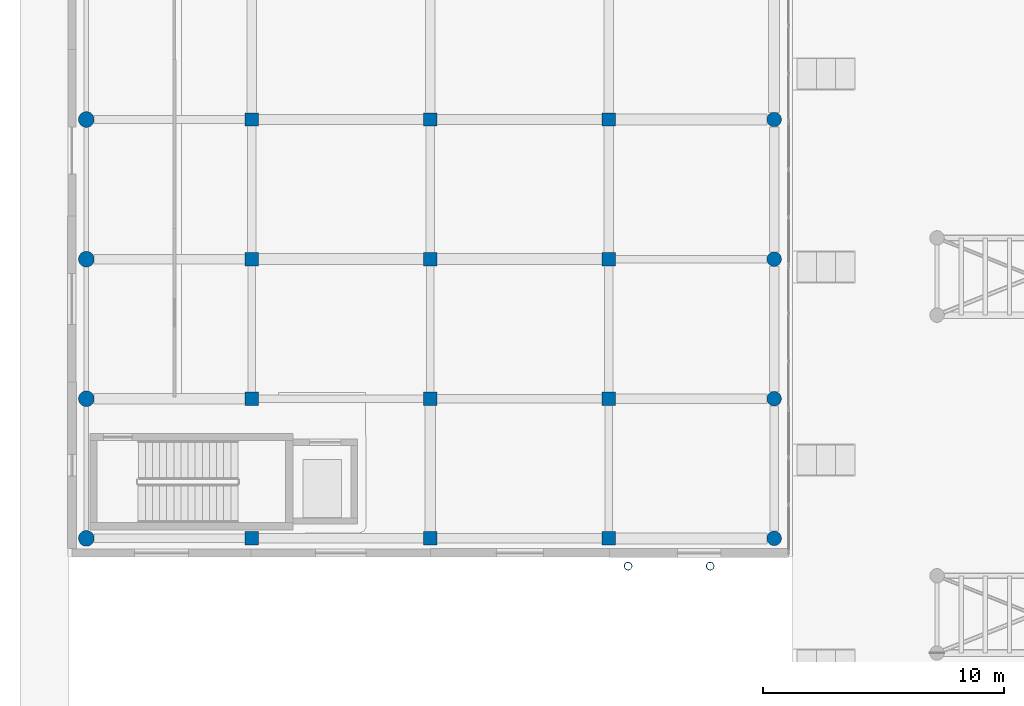
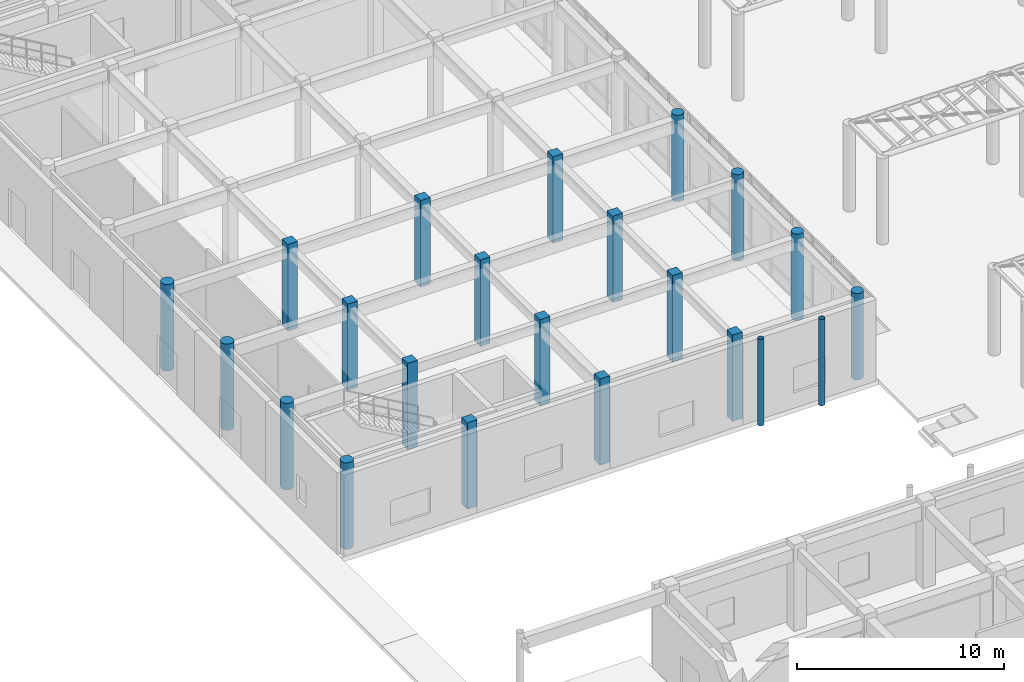
# One storey, part 5 of 121: 22 columns.
"""IFC4 building model written with IfcOpenShell, lengths in metres."""

from ifc_helpers import new_model, si_unit, direction, frame, origin, origin_2d, place, context, subcontext, project, spatial, rectangle, circle, hollow_circle, extrude, material, material_profile, profile_set, type_object, element, save


model = new_model("IFC4")

# Units and contexts
model_context = context("Model", 3, precision=1e-05, world=origin(), true_north=direction((0.0, 1.0)))
body_context = subcontext(model_context, "Body", "Model", "MODEL_VIEW")
ifc_project = project(units=[si_unit("LENGTHUNIT", "METRE"), si_unit("AREAUNIT", "SQUARE_METRE"), si_unit("VOLUMEUNIT", "CUBIC_METRE"), si_unit("PLANEANGLEUNIT", "RADIAN"), si_unit("MASSUNIT", "GRAM", prefix="KILO")], contexts=[model_context])

# Site, building, storey
site_placement = place(None, origin())
site = spatial("IfcSite", under=ifc_project, at=site_placement, CompositionType="ELEMENT")
building_placement = place(site_placement, origin())
building = spatial("IfcBuilding", under=site, at=building_placement, Name="Valcora Specialist Clinic", CompositionType="ELEMENT")
storey_placement = place(building_placement, origin())
storey = spatial("IfcBuildingStorey", under=building, at=storey_placement, Name="L00", CompositionType="ELEMENT", Elevation=0.0)

# Columns
ifc_material_1 = material(Name="Steel ASTM A500 Grade C", Category="steel")
ifc_material_profile_1 = material_profile(ifc_material_1, hollow_circle(Radius=0.162109375, WallThickness=0.011962890625, at=origin_2d()), Name="ST-CHS-324X12")
ifc_profile_set_1 = profile_set([ifc_material_profile_1], Name="Steel ASTM A500 Grade C")
column_type_1 = type_object("IfcColumnType", Name="TY-COL-CHS324", PredefinedType="COLUMN", material=ifc_profile_set_1)
for number, where, z_axis, x_axis, name in (
    (1, (23.199951171875, 37.60009765625, 0.0), (0.0, 0.0, 1.0), (1.0, 0.0, 0.0), "Column COL-L00-0951"),
    (2, (26.60009765625, 37.60009765625, 0.0), (0.0, 0.0, 1.0), (1.0, 0.0, 0.0), "Column COL-L00-0957"),
):
    element("IfcColumn", number, at=place(storey_placement, frame(where, z_axis=z_axis, x_axis=x_axis)), inside=storey, type_object=column_type_1, Name=name, PredefinedType="COLUMN", context=body_context, shape_type="SweptSolid", body=[
        extrude(hollow_circle(Radius=0.162109375, WallThickness=0.011962890625, at=origin_2d()), origin(), (0.0, 0.0, 1.0), 5.10009765625),
    ])
ifc_material_2 = material(Name="Concrete C40/50", Category="concrete")
ifc_material_profile_2 = material_profile(ifc_material_2, rectangle(XDim=0.550048828125, YDim=0.550048828125, at=origin_2d()), Name="RC-COL-550X550")
ifc_profile_set_2 = profile_set([ifc_material_profile_2], Name="Concrete C40/50")
column_type_2 = type_object("IfcColumnType", Name="TY-COL-RC550", PredefinedType="COLUMN", material=ifc_profile_set_2)
for number, where, z_axis, x_axis, name in (
    (3, (7.60009765625, 38.75, 0.0), (0.0, 0.0, 1.0), (1.0, 0.0, 0.0), "Column COL-L00-0034"),
    (4, (7.60009765625, 44.535888671875, 0.0), (0.0, 0.0, 1.0), (1.0, 0.0, 0.0), "Column COL-L00-0037"),
    (5, (7.60009765625, 50.321044921875, 0.0), (0.0, 0.0, 1.0), (1.0, 0.0, 0.0), "Column COL-L00-0040"),
    (6, (7.60009765625, 56.10693359375, 0.0), (0.0, 0.0, 1.0), (1.0, 0.0, 0.0), "Column COL-L00-0043"),
    (7, (15.0, 38.75, 0.0), (0.0, 0.0, 1.0), (1.0, 0.0, 0.0), "Column COL-L00-0058"),
    (8, (15.0, 44.535888671875, 0.0), (0.0, 0.0, 1.0), (1.0, 0.0, 0.0), "Column COL-L00-0061"),
    (9, (15.0, 50.321044921875, 0.0), (0.0, 0.0, 1.0), (1.0, 0.0, 0.0), "Column COL-L00-0064"),
    (10, (15.0, 56.10693359375, 0.0), (0.0, 0.0, 1.0), (1.0, 0.0, 0.0), "Column COL-L00-0066"),
    (11, (22.39990234375, 38.75, 0.0), (0.0, 0.0, 1.0), (1.0, 0.0, 0.0), "Column COL-L00-0078"),
    (12, (22.39990234375, 44.535888671875, 0.0), (0.0, 0.0, 1.0), (1.0, 0.0, 0.0), "Column COL-L00-0081"),
    (13, (22.39990234375, 50.321044921875, 0.0), (0.0, 0.0, 1.0), (1.0, 0.0, 0.0), "Column COL-L00-0084"),
    (14, (22.39990234375, 56.10693359375, 0.0), (0.0, 0.0, 1.0), (1.0, 0.0, 0.0), "Column COL-L00-0087"),
):
    element("IfcColumn", number, at=place(storey_placement, frame(where, z_axis=z_axis, x_axis=x_axis)), inside=storey, type_object=column_type_2, Name=name, PredefinedType="COLUMN", context=body_context, shape_type="SweptSolid", body=[
        extrude(rectangle(XDim=0.550048828125, YDim=0.550048828125, at=origin_2d()), origin(), (0.0, 0.0, 1.0), 5.10009765625),
    ])
ifc_material_profile_3 = material_profile(ifc_material_2, circle(Radius=0.300048828125, at=origin_2d()), Name="RC-COL-D600")
ifc_profile_set_3 = profile_set([ifc_material_profile_3], Name="Concrete C40/50")
column_type_3 = type_object("IfcColumnType", Name="TY-COL-RCD600", PredefinedType="COLUMN", material=ifc_profile_set_3)
for number, where, z_axis, x_axis, name in (
    (15, (29.25, 38.75, 0.0), (0.0, 0.0, 1.0), (1.0, 0.0, 0.0), "Column COL-L00-0102"),
    (16, (29.25, 44.535888671875, 0.0), (0.0, 0.0, 1.0), (1.0, 0.0, 0.0), "Column COL-L00-0106"),
    (17, (29.25, 50.321044921875, 0.0), (0.0, 0.0, 1.0), (1.0, 0.0, 0.0), "Column COL-L00-0110"),
    (18, (29.25, 56.10693359375, 0.0), (0.0, 0.0, 1.0), (1.0, 0.0, 0.0), "Column COL-L00-0114"),
):
    element("IfcColumn", number, at=place(storey_placement, frame(where, z_axis=z_axis, x_axis=x_axis)), inside=storey, type_object=column_type_3, Name=name, PredefinedType="COLUMN", context=body_context, shape_type="SweptSolid", body=[
        extrude(circle(Radius=0.300048828125, at=origin_2d()), origin(), (0.0, 0.0, 1.0), 5.10009765625),
    ])
ifc_material_profile_4 = material_profile(ifc_material_2, circle(Radius=0.324951171875, at=origin_2d()), Name="RC-COL-D650")
ifc_profile_set_4 = profile_set([ifc_material_profile_4], Name="Concrete C40/50")
column_type_4 = type_object("IfcColumnType", Name="TY-COL-RCD650", PredefinedType="COLUMN", material=ifc_profile_set_4)
for number, where, z_axis, x_axis, name in (
    (19, (0.75, 38.75, 0.0), (0.0, 0.0, 1.0), (1.0, 0.0, 0.0), "Column COL-L00-0002"),
    (20, (0.75, 44.535888671875, 0.0), (0.0, 0.0, 1.0), (1.0, 0.0, 0.0), "Column COL-L00-0006"),
    (21, (0.75, 50.321044921875, 0.0), (0.0, 0.0, 1.0), (1.0, 0.0, 0.0), "Column COL-L00-0010"),
    (22, (0.75, 56.10693359375, 0.0), (0.0, 0.0, 1.0), (1.0, 0.0, 0.0), "Column COL-L00-0014"),
):
    element("IfcColumn", number, at=place(storey_placement, frame(where, z_axis=z_axis, x_axis=x_axis)), inside=storey, type_object=column_type_4, Name=name, PredefinedType="COLUMN", context=body_context, shape_type="SweptSolid", body=[
        extrude(circle(Radius=0.324951171875, at=origin_2d()), origin(), (0.0, 0.0, 1.0), 5.10009765625),
    ])

save(model, "model.ifc")
